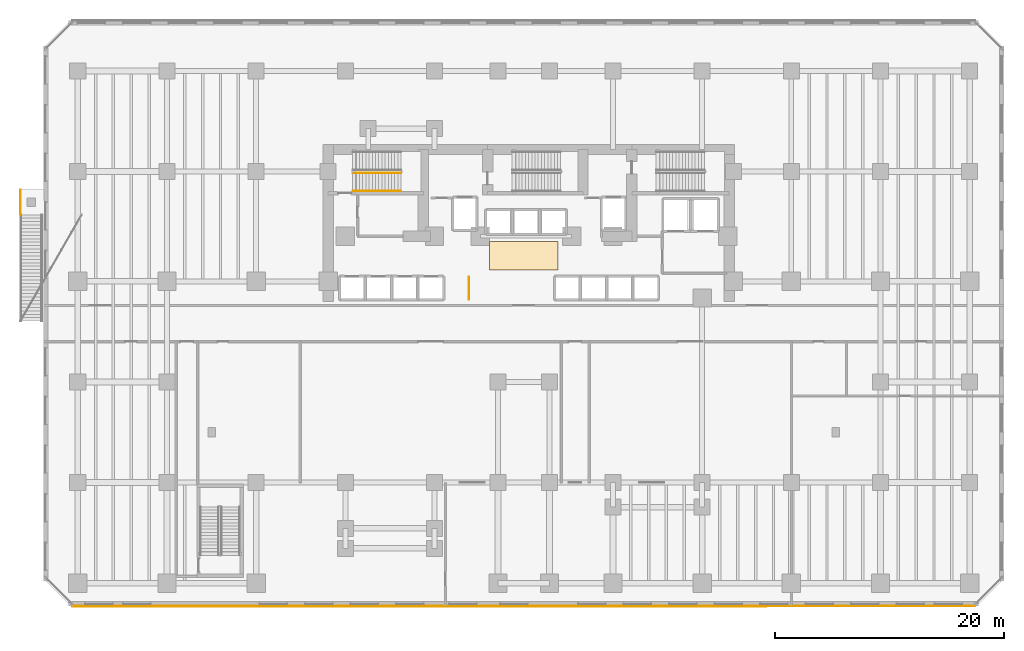
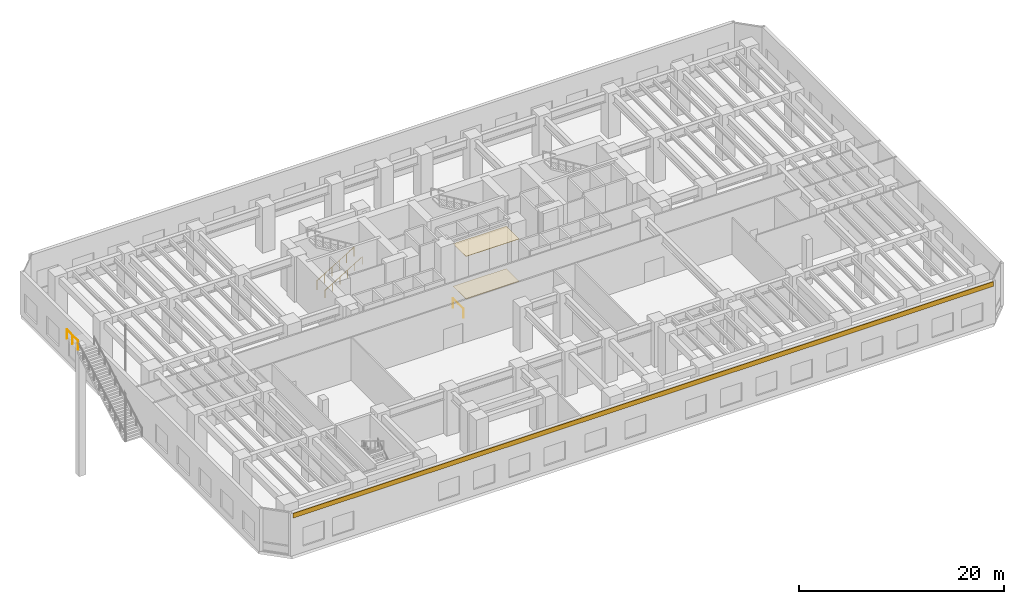
# One storey, part 19 of 21: 4 railings, 3 coverings.
"""IFC4 building model written with IfcOpenShell, lengths in metres."""

from ifc_helpers import new_model, si_unit, direction, frame, origin, origin_2d, place, context, subcontext, project, spatial, polyline, rectangle, circle, outline, extrude, material, layer, layer_set, type_object, element, save


model = new_model("IFC4")

# Units and contexts
model_context = context("Model", 3, precision=1e-05, world=origin(), true_north=direction((0.0, 1.0)))
body_context = subcontext(model_context, "Body", "Model", "MODEL_VIEW")
ifc_project = project(units=[si_unit("LENGTHUNIT", "METRE"), si_unit("AREAUNIT", "SQUARE_METRE"), si_unit("VOLUMEUNIT", "CUBIC_METRE"), si_unit("PLANEANGLEUNIT", "RADIAN"), si_unit("MASSUNIT", "GRAM", prefix="KILO")], contexts=[model_context])

# Site, building, storey
site_placement = place(None, origin())
site = spatial("IfcSite", under=ifc_project, at=site_placement, CompositionType="ELEMENT")
building_placement = place(site_placement, origin())
building = spatial("IfcBuilding", under=site, at=building_placement, Name="Kestravale Grand Hotel", CompositionType="ELEMENT")
storey_placement = place(building_placement, frame((0.0, 0.0, 10.39990234375)))
storey = spatial("IfcBuildingStorey", under=building, at=storey_placement, Name="L02", CompositionType="ELEMENT", Elevation=10.39990234375)

# Coverings
ifc_material_1 = material(Name="Warm limestone-toned fluted architectural precast cladding", Category="masonry")
ifc_layer_1 = layer(ifc_material_1, 0.074951171875)
ifc_layer_set_1 = layer_set([ifc_layer_1], Name="COV-CLAD-LIM")
covering_type_1 = type_object("IfcCoveringType", Name="COV-CLAD-LIM", PredefinedType="CLADDING", material=ifc_layer_set_1)
covering_1_placement = place(storey_placement, frame((39.0, 0.385009765625, 4.52490234375), z_axis=(0.0, 0.0, 1.0), x_axis=(1.0, 0.0, 0.0)))
element("IfcCovering", 1, at=covering_1_placement, inside=storey, type_object=covering_type_1, Name="L02 fluted limestone spandrel cladding 1", PredefinedType="CLADDING", context=body_context, shape_type="SweptSolid", body=[
    extrude(rectangle(XDim=78.97998046875, YDim=0.074951171875, at=origin_2d()), origin(), (0.0, 0.0, 1.0), 0.550048828125),
])
ifc_material_2 = material(Name="Perforated gypsum and mineral-fibre acoustic ceiling", Category="other")
ifc_layer_2 = layer(ifc_material_2, 0.044921875)
ifc_layer_set_2 = layer_set([ifc_layer_2], Name="COV-INT-CEIL")
covering_type_2 = type_object("IfcCoveringType", Name="COV-INT-CEIL", PredefinedType="CEILING", material=ifc_layer_set_2)
covering_2_placement = place(storey_placement, frame((0.0, 0.0, 5.05517578125)))
element("IfcCovering", 2, at=covering_2_placement, inside=storey, type_object=covering_type_2, Name="L02 elevator lobby acoustic coffered ceiling", PredefinedType="CEILING", context=body_context, shape_type="SweptSolid", body=[
    extrude(outline(polyline([(36.0, 29.800048828125), (42.0, 29.800048828125), (42.0, 32.300048828125), (36.0, 32.300048828125), (36.0, 29.800048828125)])), origin(), (0.0, 0.0, 1.0), 0.044921875),
])
ifc_material_3 = material(Name="Polished Art Deco brass-inlaid terrazzo flooring", Category="masonry")
ifc_layer_3 = layer(ifc_material_3, 0.034912109375)
ifc_layer_set_3 = layer_set([ifc_layer_3], Name="COV-INT-TERZ")
covering_type_3 = type_object("IfcCoveringType", Name="COV-INT-TERZ", PredefinedType="FLOORING", material=ifc_layer_set_3)
covering_3_placement = place(storey_placement, origin())
element("IfcCovering", 3, at=covering_3_placement, inside=storey, type_object=covering_type_3, Name="L02 elevator lobby brass-inlaid terrazzo floor", PredefinedType="FLOORING", context=body_context, shape_type="SweptSolid", body=[
    extrude(outline(polyline([(36.0, 29.800048828125), (42.0, 29.800048828125), (42.0, 32.300048828125), (36.0, 32.300048828125), (36.0, 29.800048828125)])), origin(), (0.0, 0.0, 1.0), 0.03515625),
])

# Railings
ifc_material_4 = material(Name="Champagne-bronze stainless steel and laminated glass guard", Category="steel")
railing_type_1 = type_object("IfcRailingType", Name="RL-EXT-1100", PredefinedType="GUARDRAIL", material=ifc_material_4)
railing_1_placement = place(storey_placement, frame((-5.0, 34.6201171875, 5.400146484375)))
element("IfcRailing", 4, at=railing_1_placement, inside=storey, type_object=railing_type_1, Name="L02 garden stair landing guard", PredefinedType="GUARDRAIL", context=body_context, shape_type="SweptSolid", body=[
    extrude(circle(Radius=0.02392578125, at=origin_2d()), frame((0.0, 0.0, 1.09619140625), z_axis=(0.0, 1.0, 0.0), x_axis=(-1.0, 0.0, 0.0)), (0.0, 0.0, 1.0), 2.14990234375),
    extrude(circle(Radius=0.02099609375, at=origin_2d()), origin(), (0.0, 0.0, 1.0), 1.072021484375),
    extrude(circle(Radius=0.02099609375, at=origin_2d()), frame((0.0, 1.074951171875, 0.0)), (0.0, 0.0, 1.0), 1.072021484375),
    extrude(circle(Radius=0.02099609375, at=origin_2d()), frame((0.0, 2.14990234375, 0.0)), (0.0, 0.0, 1.0), 1.072021484375),
])
ifc_material_5 = material(Name="Art Deco fluted bronze interior gallery balustrade", Category="steel")
railing_type_2 = type_object("IfcRailingType", Name="RL-INT-BAL1100", PredefinedType="BALUSTRADE", material=ifc_material_5)
railing_2_placement = place(storey_placement, frame((34.199951171875, 27.199951171875, 0.0)))
element("IfcRailing", 5, at=railing_2_placement, inside=storey, type_object=railing_type_2, Name="L02 Art Deco bronze concourse balustrade", PredefinedType="BALUSTRADE", context=body_context, shape_type="SweptSolid", body=[
    extrude(circle(Radius=0.02392578125, at=origin_2d()), frame((0.0, 0.0, 1.076171875), z_axis=(0.0, 1.0, 0.0), x_axis=(-1.0, 0.0, 0.0)), (0.0, 0.0, 1.0), 2.0),
    extrude(circle(Radius=0.02099609375, at=origin_2d()), origin(), (0.0, 0.0, 1.0), 1.052001953125),
    extrude(circle(Radius=0.02099609375, at=origin_2d()), frame((0.0, 2.0, 0.0)), (0.0, 0.0, 1.0), 1.052001953125),
])
ifc_material_6 = material(Name="Painted tubular steel stair well guard", Category="steel")
railing_type_3 = type_object("IfcRailingType", Name="RL-ST-GRD1100", PredefinedType="GUARDRAIL", material=ifc_material_6)
railing_3_placement = place(storey_placement, frame((24.080078125, 38.280029296875, 0.1689453125)))
element("IfcRailing", 6, at=railing_3_placement, inside=storey, type_object=railing_type_3, Name="L02 ST-1 stair guard 1", PredefinedType="GUARDRAIL", context=body_context, shape_type="SweptSolid", body=[
    extrude(circle(Radius=0.02392578125, at=origin_2d()), frame((0.0, 0.0, 1.076171875), z_axis=(0.856476492594, 0.0, 0.516186030065), x_axis=(0.0, 1.0, 0.0)), (0.0, 0.0, 1.0), 4.90380859375),
    extrude(circle(Radius=0.02099609375, at=origin_2d()), origin(), (0.0, 0.0, 1.0), 1.052001953125),
    extrude(circle(Radius=0.02099609375, at=origin_2d()), frame((0.840087890625, 0.0, 0.50634765625)), (0.0, 0.0, 1.0), 1.052001953125),
    extrude(circle(Radius=0.02099609375, at=origin_2d()), frame((1.679931640625, 0.0, 1.012451171875)), (0.0, 0.0, 1.0), 1.052001953125),
    extrude(circle(Radius=0.02099609375, at=origin_2d()), frame((2.52001953125, 0.0, 1.518798828125)), (0.0, 0.0, 1.0), 1.052001953125),
    extrude(circle(Radius=0.02099609375, at=origin_2d()), frame((3.35986328125, 0.0, 2.02490234375)), (0.0, 0.0, 1.0), 1.052001953125),
    extrude(circle(Radius=0.02099609375, at=origin_2d()), frame((4.199951171875, 0.0, 2.53125)), (0.0, 0.0, 1.0), 1.052001953125),
])
ifc_material_7 = material(Name="Brushed stainless steel wall handrail", Category="steel")
railing_type_4 = type_object("IfcRailingType", Name="RL-ST-HND900", PredefinedType="HANDRAIL", material=ifc_material_7)
railing_4_placement = place(storey_placement, frame((24.080078125, 36.699951171875, 0.1689453125)))
element("IfcRailing", 7, at=railing_4_placement, inside=storey, type_object=railing_type_4, Name="L02 ST-1 stair handrail 1", PredefinedType="HANDRAIL", context=body_context, shape_type="SweptSolid", body=[
    extrude(circle(Radius=0.02392578125, at=origin_2d()), frame((0.0, 0.0, 0.8759765625), z_axis=(0.856476492594, 0.0, 0.516186030065), x_axis=(0.0, 1.0, 0.0)), (0.0, 0.0, 1.0), 4.90380859375),
    extrude(circle(Radius=0.02099609375, at=origin_2d()), origin(), (0.0, 0.0, 1.0), 0.851806640625),
    extrude(circle(Radius=0.02099609375, at=origin_2d()), frame((0.840087890625, 0.0, 0.50634765625)), (0.0, 0.0, 1.0), 0.851806640625),
    extrude(circle(Radius=0.02099609375, at=origin_2d()), frame((1.679931640625, 0.0, 1.012451171875)), (0.0, 0.0, 1.0), 0.851806640625),
    extrude(circle(Radius=0.02099609375, at=origin_2d()), frame((2.52001953125, 0.0, 1.518798828125)), (0.0, 0.0, 1.0), 0.851806640625),
    extrude(circle(Radius=0.02099609375, at=origin_2d()), frame((3.35986328125, 0.0, 2.02490234375)), (0.0, 0.0, 1.0), 0.851806640625),
    extrude(circle(Radius=0.02099609375, at=origin_2d()), frame((4.199951171875, 0.0, 2.53125)), (0.0, 0.0, 1.0), 0.851806640625),
])

save(model, "model.ifc")
